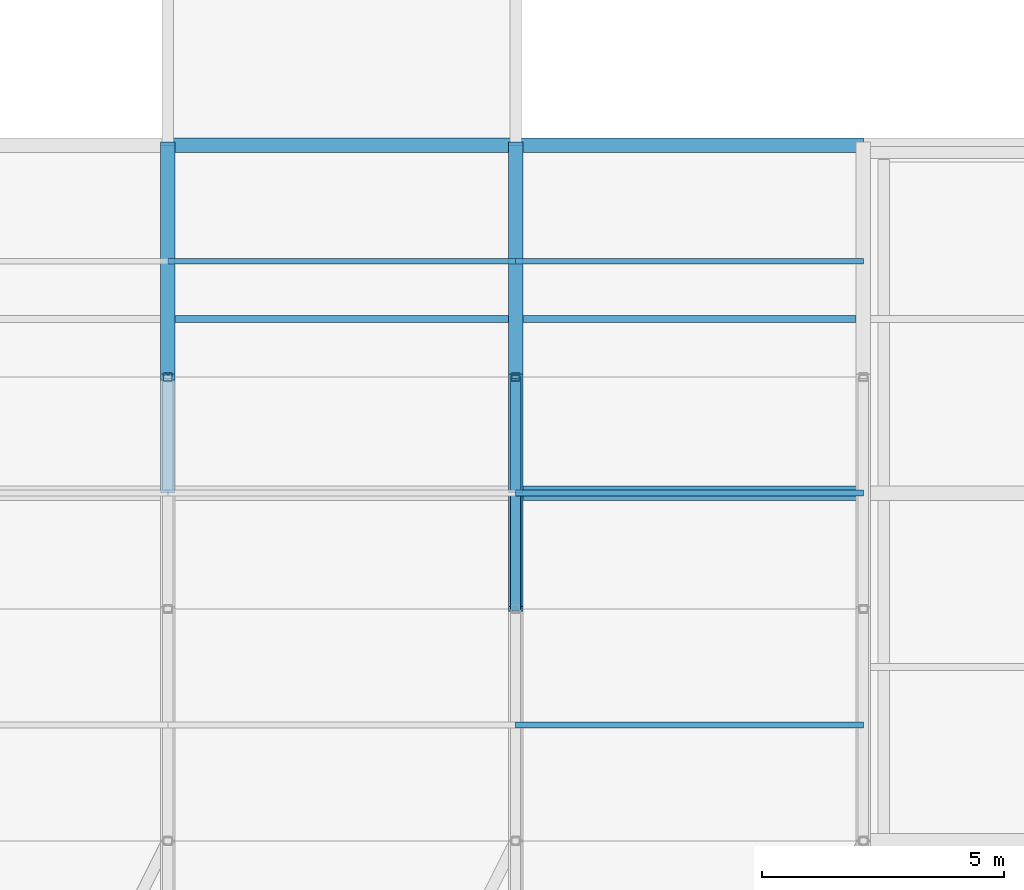
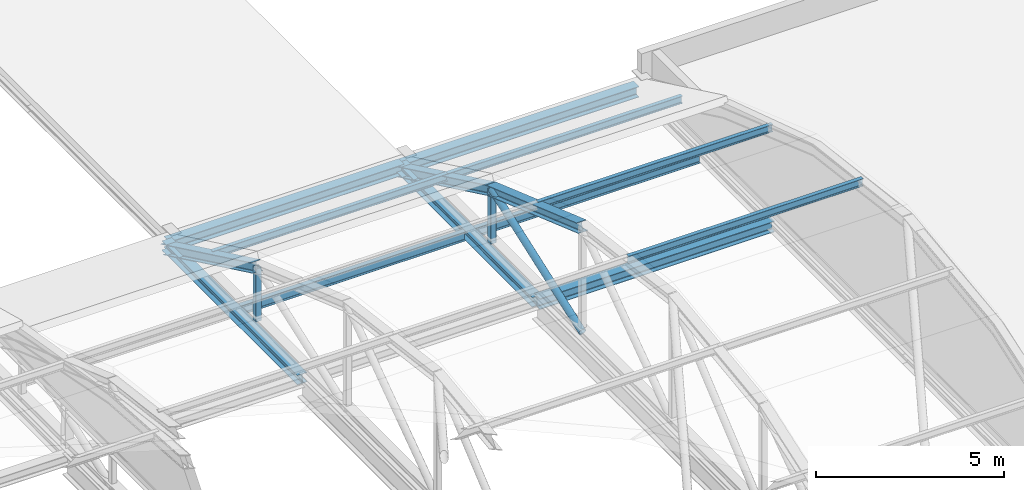
# One storey, part 25 of 103: 11 beams, 6 members.
"""IFC4 building model written with IfcOpenShell, lengths in metres."""

import ifcopenshell
import ifcopenshell.guid

model = None  # the IFC model being written
_history = None  # IfcOwnerHistory: only IFC2X3 demands one
_inside = {}  # id of a spatial element -> (the spatial element, [elements in it])
_under = {}  # id of a project, library or spatial element -> (it, [spatial elements below it])
_declared = {}  # id of a project -> (the project, [libraries it declares])
_typed = {}  # id of a type object -> (the type object, [elements of that type])
_made_of = {}  # id of a material, layer set ... -> (it, [elements and type objects made of it])


def new_model(schema):
    """Start an empty IFC model of exactly this schema.

    Asked for "IFC4X3", IfcOpenShell would pick the latest addendum, in which some entities
    have other attributes; the version numbers below select the first issue.
    IFC2X3 requires an IfcOwnerHistory on every rooted entity: one is made here for all.
    """
    global model, _history
    if schema == "IFC4X3":
        model = ifcopenshell.file(schema_version=(4, 3, 0, 0))
    else:
        model = ifcopenshell.file(schema=schema)
    _inside.clear()
    _under.clear()
    _declared.clear()
    _typed.clear()
    _made_of.clear()
    _history = None
    if model.schema == "IFC2X3":
        org = make("IfcOrganization", Name="unknown")
        user = make(
            "IfcPersonAndOrganization",
            ThePerson=make("IfcPerson", FamilyName="unknown"),
            TheOrganization=org,
        )
        app = make(
            "IfcApplication",
            ApplicationDeveloper=org,
            Version="unknown",
            ApplicationFullName="unknown",
            ApplicationIdentifier="unknown",
        )
        _history = make(
            "IfcOwnerHistory",
            OwningUser=user,
            OwningApplication=app,
            ChangeAction="ADDED",
            CreationDate=0,
        )
    return model


def make(cls, **values):
    """One entity of the class cls with the attributes given. An attribute that is None is left unset."""
    return model.create_entity(
        cls, **{name: value for name, value in values.items() if value is not None}
    )


def rooted(cls, **values):
    """An entity with a GlobalId (a new one), such as an element, a storey or a relation."""
    return make(cls, GlobalId=ifcopenshell.guid.new(), OwnerHistory=_history, **values)


def si_unit(unit_type, name, prefix=None):
    """IfcSIUnit, for example si_unit("LENGTHUNIT", "METRE", prefix="MILLI")."""
    return make("IfcSIUnit", UnitType=unit_type, Prefix=prefix, Name=name)


def assignment(units):
    """IfcUnitAssignment: the units of a project."""
    return None if units is None else make("IfcUnitAssignment", Units=units)


def point(xyz):
    """IfcCartesianPoint."""
    return None if xyz is None else make("IfcCartesianPoint", Coordinates=xyz)


def direction(xyz):
    """IfcDirection."""
    return None if xyz is None else make("IfcDirection", DirectionRatios=xyz)


def frame(location, z_axis=None, x_axis=None):
    """IfcAxis2Placement3D, a coordinate frame: its origin and axes. An axis left out is left unset."""
    return make(
        "IfcAxis2Placement3D",
        Location=point(location),
        Axis=direction(z_axis),
        RefDirection=direction(x_axis),
    )


def frame_2d(location, x_axis=None):
    """IfcAxis2Placement2D, a coordinate frame in the plane: its origin and x axis."""
    return make(
        "IfcAxis2Placement2D", Location=point(location), RefDirection=direction(x_axis)
    )


def origin():
    """The frame at (0, 0, 0) with its axes left unset."""
    return frame((0.0, 0.0, 0.0))


def origin_2d():
    """The frame at (0, 0) in the plane with its x axis left unset."""
    return frame_2d((0.0, 0.0))


def place(relative_to, where):
    """IfcLocalPlacement: puts the frame where relative to a parent placement (None: the world)."""
    return make(
        "IfcLocalPlacement", PlacementRelTo=relative_to, RelativePlacement=where
    )


def context(
    kind, dimensions, precision=None, world=None, true_north=None, identifier=None
):
    """IfcGeometricRepresentationContext, for example the 3D "Model" context."""
    return make(
        "IfcGeometricRepresentationContext",
        ContextIdentifier=identifier,
        ContextType=kind,
        CoordinateSpaceDimension=dimensions,
        Precision=precision,
        WorldCoordinateSystem=world,
        TrueNorth=true_north,
    )


def subcontext(parent, identifier, kind, view, scale=None):
    """IfcGeometricRepresentationSubContext, for example "Body" below "Model"."""
    return make(
        "IfcGeometricRepresentationSubContext",
        ContextIdentifier=identifier,
        ContextType=kind,
        ParentContext=parent,
        TargetScale=scale,
        TargetView=view,
    )


def project(units=None, contexts=None):
    """IfcProject with its units and contexts."""
    return rooted(
        "IfcProject",
        Name="project",
        RepresentationContexts=contexts,
        UnitsInContext=assignment(units),
    )


def spatial(cls, under=None, at=None, **own):
    """A site, building, storey or space (cls), placed at a placement, below another one or the project."""
    s = rooted(cls, ObjectPlacement=at, **own)
    if under is not None:
        _under.setdefault(under.id(), (under, []))[1].append(s)
    return s


def profile(cls, at=None, kind="AREA", **sizes):
    """A parametric profile (cls). Its sizes go by their IFC names, for example OverallWidth=200.0."""
    return make(cls, ProfileType=kind, Position=at, **sizes)


def hollow_rectangle(**sizes):
    """IfcRectangleHollowProfileDef."""
    return profile("IfcRectangleHollowProfileDef", **sizes)


def hollow_circle(**sizes):
    """IfcCircleHollowProfileDef."""
    return profile("IfcCircleHollowProfileDef", **sizes)


def i_section(**sizes):
    """IfcIShapeProfileDef."""
    return profile("IfcIShapeProfileDef", **sizes)


def extrude(swept, where, along, depth):
    """IfcExtrudedAreaSolid: the profile swept, set in the frame where, extruded along a direction by depth."""
    return make(
        "IfcExtrudedAreaSolid",
        SweptArea=swept,
        Position=where,
        ExtrudedDirection=direction(along),
        Depth=depth,
    )


def shape(context_of_items, identifier, shape_type, items):
    """IfcShapeRepresentation: the items that make up one representation, for example the "Body"."""
    return make(
        "IfcShapeRepresentation",
        ContextOfItems=context_of_items,
        RepresentationIdentifier=identifier,
        RepresentationType=shape_type,
        Items=items,
    )


def material(Name=None, Category=None):
    """IfcMaterial."""
    return make("IfcMaterial", Name=Name, Category=Category)


def material_profile(
    of_material, cross_section, Name=None, Category=None, Priority=None
):
    """IfcMaterialProfile: a cross section and its material."""
    return make(
        "IfcMaterialProfile",
        Name=Name,
        Material=of_material,
        Profile=cross_section,
        Priority=Priority,
        Category=Category,
    )


def profile_set(profiles, Name=None, composite=None):
    """IfcMaterialProfileSet."""
    return make(
        "IfcMaterialProfileSet",
        Name=Name,
        MaterialProfiles=profiles,
        CompositeProfile=composite,
    )


def made_of(thing, what):
    """Note that an element or type object is made of a material, layer set ...; save() writes the relation."""
    if what is not None:
        _made_of.setdefault(what.id(), (what, []))[1].append(thing)
    return thing


def type_object(cls, material=None, **own):
    """A type object (cls), such as IfcWallType, which elements share."""
    return made_of(rooted(cls, **own), material)


def element(
    cls,
    number,
    at=None,
    inside=None,
    cuts=None,
    type_object=None,
    material=None,
    context=None,
    identifier="Body",
    shape_type=None,
    held_by="IfcProductDefinitionShape",
    body=None,
    shapes=None,
    **own,
):
    """One element of the class cls, such as IfcWall. Its Tag is "e" and its number.

    at: its placement. inside: the storey or other place that contains it. cuts: it is an
    opening in that element (IfcRelVoidsElement). A single representation is given by context,
    identifier, shape_type and body (its items); several are given by shapes. held_by: the class
    of the entity that holds the representations. save() writes the other relations.
    """
    e = rooted(cls, Tag="e%d" % number, ObjectPlacement=at, **own)
    if body is not None:
        shapes = [shape(context, identifier, shape_type, body)]
    if shapes is not None:
        e.Representation = make(held_by, Representations=shapes)
    if inside is not None:
        _inside.setdefault(inside.id(), (inside, []))[1].append(e)
    if cuts is not None:
        rooted(
            "IfcRelVoidsElement", RelatingBuildingElement=cuts, RelatedOpeningElement=e
        )
    if type_object is not None:
        _typed.setdefault(type_object.id(), (type_object, []))[1].append(e)
    return made_of(e, material)


def aggregate(whole, parts):
    """IfcRelAggregates: a whole, such as a stair, and the parts it consists of."""
    return rooted("IfcRelAggregates", RelatingObject=whole, RelatedObjects=parts)


def save(model, path):
    """Write the relations noted so far, then the file.

    IfcRelAggregates (storeys below a building ...), IfcRelContainedInSpatialStructure (elements
    in a storey), IfcRelDefinesByType, IfcRelAssociatesMaterial and IfcRelDeclares: one each for
    every whole, place, type object, material and project.
    """
    for whole, parts in _under.values():
        aggregate(whole, parts)
    for where, things in _inside.values():
        rooted(
            "IfcRelContainedInSpatialStructure",
            RelatedElements=things,
            RelatingStructure=where,
        )
    for kind, things in _typed.values():
        rooted("IfcRelDefinesByType", RelatedObjects=things, RelatingType=kind)
    for what, things in _made_of.values():
        rooted("IfcRelAssociatesMaterial", RelatedObjects=things, RelatingMaterial=what)
    for by, libraries in _declared.values():
        rooted("IfcRelDeclares", RelatingContext=by, RelatedDefinitions=libraries)
    model.write(path)


model = new_model("IFC4")

# Units and contexts
model_context = context("Model", 3, precision=1e-05, world=origin(), true_north=direction((0.0, 1.0)))
body_context = subcontext(model_context, "Body", "Model", "MODEL_VIEW")
ifc_project = project(units=[si_unit("LENGTHUNIT", "METRE"), si_unit("AREAUNIT", "SQUARE_METRE"), si_unit("VOLUMEUNIT", "CUBIC_METRE"), si_unit("PLANEANGLEUNIT", "RADIAN"), si_unit("MASSUNIT", "GRAM", prefix="KILO")], contexts=[model_context])

# Site, building, storey
site_placement = place(None, origin())
site = spatial("IfcSite", under=ifc_project, at=site_placement, CompositionType="ELEMENT")
building_placement = place(site_placement, origin())
building = spatial("IfcBuilding", under=site, at=building_placement, Name="Zlatovets Crest Museum", CompositionType="ELEMENT")
storey_placement = place(building_placement, frame((0.0, 0.0, 12.89990234375)))
storey = spatial("IfcBuildingStorey", under=building, at=storey_placement, Name="L03", CompositionType="ELEMENT", Elevation=12.89990234375)

# Beams
ifc_material = material(Name="Structural steel S355J2", Category="steel")
ifc_material_profile_1 = material_profile(ifc_material, i_section(OverallWidth=0.300048828125, OverallDepth=0.35009765625, WebThickness=0.010009765625, FlangeThickness=0.017578125, FilletRadius=0.027099609375, at=origin_2d()), Name="HEA 360")
ifc_profile_set_1 = profile_set([ifc_material_profile_1], Name="Structural steel S355J2")
beam_type_1 = type_object("IfcBeamType", Name="Beam_B-03", PredefinedType="BEAM", material=ifc_profile_set_1)
beam_1_placement = place(storey_placement, frame((21.60009765625, 21.60009765625, -0.39501953125), z_axis=(1.0, 0.0, 0.0), x_axis=(0.0, 1.0, 0.0)))
element("IfcBeam", 1, at=beam_1_placement, inside=storey, type_object=beam_type_1, Name="V3 L03 Primary Girder B-03", PredefinedType="BEAM", context=body_context, shape_type="SweptSolid", body=[
    extrude(i_section(OverallWidth=0.300048828125, OverallDepth=0.35009765625, WebThickness=0.010009765625, FlangeThickness=0.017578125, FilletRadius=0.027099609375, at=origin_2d()), origin(), (0.0, 0.0, 1.0), 7.199951171875),
])
beam_2_placement = place(storey_placement, frame((14.39990234375, 28.800048828125, -0.39501953125), z_axis=(1.0, 0.0, 0.0), x_axis=(0.0, 1.0, 0.0)))
element("IfcBeam", 2, at=beam_2_placement, inside=storey, type_object=beam_type_1, Name="V3 L03 Primary Girder B-03", PredefinedType="BEAM", context=body_context, shape_type="SweptSolid", body=[
    extrude(i_section(OverallWidth=0.300048828125, OverallDepth=0.35009765625, WebThickness=0.010009765625, FlangeThickness=0.017578125, FilletRadius=0.027099609375, at=origin_2d()), origin(), (0.0, 0.0, 1.0), 7.2001953125),
])
beam_3_placement = place(storey_placement, frame((21.60009765625, 28.800048828125, -0.39501953125), z_axis=(1.0, 0.0, 0.0), x_axis=(0.0, 1.0, 0.0)))
element("IfcBeam", 3, at=beam_3_placement, inside=storey, type_object=beam_type_1, Name="V3 L03 Primary Girder B-03", PredefinedType="BEAM", context=body_context, shape_type="SweptSolid", body=[
    extrude(i_section(OverallWidth=0.300048828125, OverallDepth=0.35009765625, WebThickness=0.010009765625, FlangeThickness=0.017578125, FilletRadius=0.027099609375, at=origin_2d()), origin(), (0.0, 0.0, 1.0), 7.199951171875),
])
ifc_material_profile_2 = material_profile(ifc_material, i_section(OverallWidth=0.300048828125, OverallDepth=0.31005859375, WebThickness=0.009033203125, FlangeThickness=0.015380859375, FilletRadius=0.027099609375, at=origin_2d()), Name="HEA 320")
ifc_profile_set_2 = profile_set([ifc_material_profile_2], Name="Structural steel S355J2")
beam_type_2 = type_object("IfcBeamType", Name="Beam_B-04", PredefinedType="BEAM", material=ifc_profile_set_2)
for number, where, z_axis, x_axis, name in (
    (4, (14.39990234375, 21.60009765625, -0.375), (0.0, 1.0, 0.0), (-1.0, 0.0, 0.0), "V3 L03 Grid Beam B-04"),
    (5, (21.60009765625, 21.60009765625, -0.375), (0.0, 1.0, 0.0), (-1.0, 0.0, 0.0), "V3 L03 Grid Beam B-04"),
):
    element("IfcBeam", number, at=place(storey_placement, frame(where, z_axis=z_axis, x_axis=x_axis)), inside=storey, type_object=beam_type_2, Name=name, PredefinedType="BEAM", context=body_context, shape_type="SweptSolid", body=[
        extrude(i_section(OverallWidth=0.300048828125, OverallDepth=0.31005859375, WebThickness=0.009033203125, FlangeThickness=0.015380859375, FilletRadius=0.027099609375, at=origin_2d()), origin(), (0.0, 0.0, 1.0), 7.199951171875),
    ])
ifc_material_profile_3 = material_profile(ifc_material, i_section(OverallWidth=0.14990234375, OverallDepth=0.300048828125, WebThickness=0.007080078125, FlangeThickness=0.0107421875, FilletRadius=0.014892578125, at=origin_2d()), Name="IPE 300")
ifc_profile_set_3 = profile_set([ifc_material_profile_3], Name="Structural steel S355J2")
beam_type_3 = type_object("IfcBeamType", Name="Beam_J-02", PredefinedType="JOIST", material=ifc_profile_set_3)
for number, where, z_axis, x_axis, name in (
    (6, (14.550048828125, 25.199951171875, -0.369873046875), (1.0, 0.0, 0.0), (0.0, 1.0, 0.0), "V3 L03 Composite Joist J-02"),
    (7, (21.75, 25.199951171875, -0.369873046875), (1.0, 0.0, 0.0), (0.0, 1.0, 0.0), "V3 L03 Composite Joist J-02"),
):
    element("IfcBeam", number, at=place(storey_placement, frame(where, z_axis=z_axis, x_axis=x_axis)), inside=storey, type_object=beam_type_3, Name=name, PredefinedType="JOIST", context=body_context, shape_type="SweptSolid", body=[
        extrude(i_section(OverallWidth=0.14990234375, OverallDepth=0.300048828125, WebThickness=0.007080078125, FlangeThickness=0.0107421875, FilletRadius=0.014892578125, at=origin_2d()), origin(), (0.0, 0.0, 1.0), 6.89990234375),
    ])
ifc_material_profile_4 = material_profile(ifc_material, i_section(OverallWidth=0.1201171875, OverallDepth=0.239990234375, WebThickness=0.006103515625, FlangeThickness=0.009765625, FilletRadius=0.014892578125, at=origin_2d()), Name="IPE 240")
ifc_profile_set_4 = profile_set([ifc_material_profile_4], Name="Structural steel S355J2")
beam_type_4 = type_object("IfcBeamType", Name="Beam_PR-01", PredefinedType="BEAM", material=ifc_profile_set_4)
beam_4_placement = place(storey_placement, frame((14.39990234375, 26.39990234375, 0.75), z_axis=(1.0, 0.0, 0.0), x_axis=(0.0, 1.0, 0.0)))
element("IfcBeam", 8, at=beam_4_placement, inside=storey, type_object=beam_type_4, Name="V3 Barrel Vault Longitudinal Purlin", PredefinedType="BEAM", context=body_context, shape_type="SweptSolid", body=[
    extrude(i_section(OverallWidth=0.1201171875, OverallDepth=0.239990234375, WebThickness=0.006103515625, FlangeThickness=0.009765625, FilletRadius=0.014892578125, at=origin_2d()), origin(), (0.0, 0.0, 1.0), 7.2001953125),
])
for number, where, z_axis, x_axis, name in (
    (9, (21.60009765625, 16.800048828125, 3.89208984375), (1.0, 0.0, 0.0), (0.0, 1.0, 0.0), "V3 Barrel Vault Longitudinal Purlin"),
    (10, (21.60009765625, 21.60009765625, 2.741943359375), (1.0, 0.0, 0.0), (0.0, 1.0, 0.0), "V3 Barrel Vault Longitudinal Purlin"),
    (11, (21.60009765625, 26.39990234375, 0.75), (1.0, 0.0, 0.0), (0.0, 1.0, 0.0), "V3 Barrel Vault Longitudinal Purlin"),
):
    element("IfcBeam", number, at=place(storey_placement, frame(where, z_axis=z_axis, x_axis=x_axis)), inside=storey, type_object=beam_type_4, Name=name, PredefinedType="BEAM", context=body_context, shape_type="SweptSolid", body=[
        extrude(i_section(OverallWidth=0.1201171875, OverallDepth=0.239990234375, WebThickness=0.006103515625, FlangeThickness=0.009765625, FilletRadius=0.014892578125, at=origin_2d()), origin(), (0.0, 0.0, 1.0), 7.199951171875),
    ])

# Members
ifc_material_profile_5 = material_profile(ifc_material, i_section(OverallWidth=0.300048828125, OverallDepth=0.31005859375, WebThickness=0.009033203125, FlangeThickness=0.015380859375, FilletRadius=0.027099609375, at=origin_2d()), Name="HEA 320")
ifc_profile_set_5 = profile_set([ifc_material_profile_5], Name="Structural steel S355J2")
member_type_1 = type_object("IfcMemberType", Name="Member_TM-02", PredefinedType="RAFTER", material=ifc_profile_set_5)
member_1_placement = place(storey_placement, frame((14.39990234375, 24.0, 1.800048828125), z_axis=(0.0, 0.901814166789, -0.432124066188), x_axis=(-1.0, 0.0, 0.0)))
element("IfcMember", 12, at=member_1_placement, inside=storey, type_object=member_type_1, Name="V3 Art Nouveau Curved Vault Rib", PredefinedType="RAFTER", context=body_context, shape_type="SweptSolid", body=[
    extrude(i_section(OverallWidth=0.300048828125, OverallDepth=0.31005859375, WebThickness=0.009033203125, FlangeThickness=0.015380859375, FilletRadius=0.027099609375, at=origin_2d()), origin(), (0.0, 0.0, 1.0), 5.32275390625),
])
member_2_placement = place(storey_placement, frame((21.60009765625, 19.199951171875, 3.48388671875), z_axis=(0.0, 0.943623917832, -0.331019488393), x_axis=(-1.0, 0.0, 0.0)))
element("IfcMember", 13, at=member_2_placement, inside=storey, type_object=member_type_1, Name="V3 Art Nouveau Curved Vault Rib", PredefinedType="RAFTER", context=body_context, shape_type="SweptSolid", body=[
    extrude(i_section(OverallWidth=0.300048828125, OverallDepth=0.31005859375, WebThickness=0.009033203125, FlangeThickness=0.015380859375, FilletRadius=0.027099609375, at=origin_2d()), origin(), (0.0, 0.0, 1.0), 5.0869140625),
])
member_3_placement = place(storey_placement, frame((21.60009765625, 24.0, 1.800048828125), z_axis=(0.0, 0.901814166789, -0.432124066188), x_axis=(-1.0, 0.0, 0.0)))
element("IfcMember", 14, at=member_3_placement, inside=storey, type_object=member_type_1, Name="V3 Art Nouveau Curved Vault Rib", PredefinedType="RAFTER", context=body_context, shape_type="SweptSolid", body=[
    extrude(i_section(OverallWidth=0.300048828125, OverallDepth=0.31005859375, WebThickness=0.009033203125, FlangeThickness=0.015380859375, FilletRadius=0.027099609375, at=origin_2d()), origin(), (0.0, 0.0, 1.0), 5.32275390625),
])
ifc_material_profile_6 = material_profile(ifc_material, hollow_rectangle(XDim=0.179931640625, YDim=0.179931640625, WallThickness=0.010009765625, InnerFilletRadius=0.010009765625, OuterFilletRadius=0.02001953125, at=origin_2d()), Name="SHS 180x180x10.0")
ifc_profile_set_6 = profile_set([ifc_material_profile_6], Name="Structural steel S355J2")
member_type_2 = type_object("IfcMemberType", Name="Member_TM-04", PredefinedType="STRUT", material=ifc_profile_set_6)
for number, where, z_axis, x_axis, name in (
    (15, (14.39990234375, 24.0, 0.080078125), (0.0, 0.0, 1.0), (1.0, 0.0, 0.0), "V3 Barrel Vault Web Strut"),
    (16, (21.60009765625, 24.0, 0.080078125), (0.0, 0.0, 1.0), (1.0, 0.0, 0.0), "V3 Barrel Vault Web Strut"),
):
    element("IfcMember", number, at=place(storey_placement, frame(where, z_axis=z_axis, x_axis=x_axis)), inside=storey, type_object=member_type_2, Name=name, PredefinedType="STRUT", context=body_context, shape_type="SweptSolid", body=[
        extrude(hollow_rectangle(XDim=0.179931640625, YDim=0.179931640625, WallThickness=0.010009765625, InnerFilletRadius=0.010009765625, OuterFilletRadius=0.02001953125, at=origin_2d()), origin(), (0.0, 0.0, 1.0), 1.719970703125),
    ])
ifc_material_profile_7 = material_profile(ifc_material, hollow_circle(Radius=0.109619140625, WallThickness=0.010009765625, at=origin_2d()), Name="CHS 219.1x10.0")
ifc_profile_set_7 = profile_set([ifc_material_profile_7], Name="Structural steel S355J2")
member_type_3 = type_object("IfcMemberType", Name="Member_TM-05", PredefinedType="BRACE", material=ifc_profile_set_7)
member_4_placement = place(storey_placement, frame((21.60009765625, 19.199951171875, 0.080078125), z_axis=(0.0, 0.941389329103, 0.337321999061), x_axis=(-1.0, 0.0, 0.0)))
element("IfcMember", 17, at=member_4_placement, inside=storey, type_object=member_type_3, Name="V3 Barrel Vault Web Diagonal", PredefinedType="BRACE", context=body_context, shape_type="SweptSolid", body=[
    extrude(hollow_circle(Radius=0.109619140625, WallThickness=0.010009765625, at=origin_2d()), origin(), (0.0, 0.0, 1.0), 5.098876953125),
])

save(model, "model.ifc")
